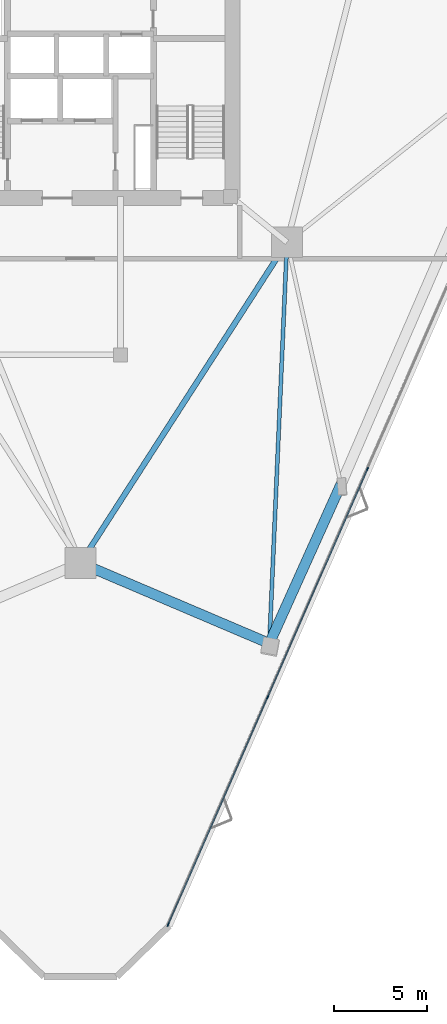
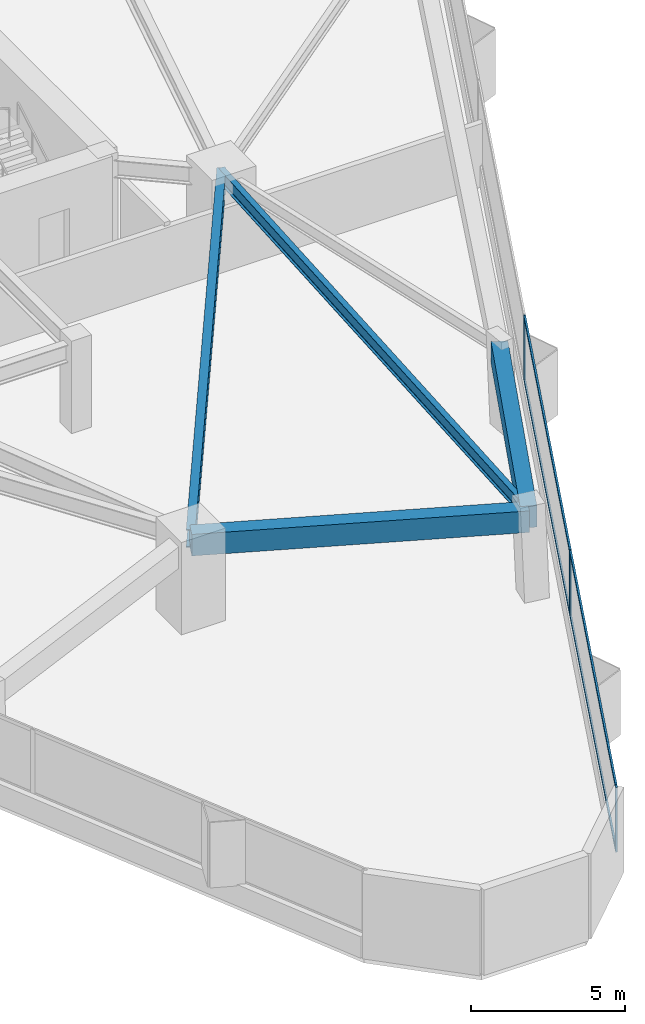
# One storey, part 4 of 20: 7 members, 4 beams, 1 element without a shape of its own.
"""IFC4 building model written with IfcOpenShell, lengths in metres."""

from ifc_helpers import new_model, si_unit, direction, frame, origin, origin_2d, place, context, subcontext, project, spatial, rectangle, i_section, extrude, material, layer, layer_set, material_profile, profile_set, type_object, element, aggregate, save


model = new_model("IFC4")

# Units and contexts
model_context = context("Model", 3, precision=1e-05, world=origin(), true_north=direction((0.0, 1.0)))
body_context = subcontext(model_context, "Body", "Model", "MODEL_VIEW")
ifc_project = project(units=[si_unit("LENGTHUNIT", "METRE"), si_unit("AREAUNIT", "SQUARE_METRE"), si_unit("VOLUMEUNIT", "CUBIC_METRE"), si_unit("PLANEANGLEUNIT", "RADIAN"), si_unit("MASSUNIT", "GRAM", prefix="KILO")], contexts=[model_context])

# Site, building, storey
site_placement = place(None, origin())
site = spatial("IfcSite", under=ifc_project, at=site_placement, CompositionType="ELEMENT")
building_placement = place(site_placement, origin())
building = spatial("IfcBuilding", under=site, at=building_placement, Name="Talyreon Biosciences Tower", CompositionType="ELEMENT")
storey_placement = place(building_placement, frame((0.0, 0.0, 78.64990234375)))
storey = spatial("IfcBuildingStorey", under=building, at=storey_placement, Name="L20", CompositionType="ELEMENT", Elevation=78.64990234375)

# Curtain wall, members
ifc_material_1 = material(Name="Thermally broken aluminium and low-E glazing", Category="aluminium")
ifc_layer = layer(ifc_material_1, 0.18994140625)
ifc_layer_set = layer_set([ifc_layer], Name="Thermally broken aluminium and low-E glazing")
curtain_wall_type = type_object("IfcCurtainWallType", Name="CurtainWall_Zone2Genomics", PredefinedType="NOTDEFINED", material=ifc_layer_set)
curtain_wall_placement = place(storey_placement, origin())
curtain_wall = element("IfcCurtainWall", 1, at=curtain_wall_placement, inside=storey, type_object=curtain_wall_type, Name="L20 Unitised Curtain Wall FCW-L20-08", PredefinedType="NOTDEFINED")
ifc_material_2 = material(Name="Anodised thermally broken aluminium", Category="aluminium")
ifc_material_profile_1 = material_profile(ifc_material_2, rectangle(XDim=0.06494140625, YDim=0.179931640625, at=origin_2d()), Name="ALUM MULLION 65x180")
ifc_profile_set_1 = profile_set([ifc_material_profile_1], Name="Anodised thermally broken aluminium")
member_type_1 = type_object("IfcMemberType", Name="CWMullion_65x180", PredefinedType="MULLION", material=ifc_profile_set_1)
member_1_placement = place(storey_placement, frame((81.40478515625, 46.721435546875, 0.81005859375), z_axis=(0.0, 0.0, 1.0), x_axis=(0.916213942072, -0.400689421314, 0.0)))
member_1 = element("IfcMember", 2, at=member_1_placement, type_object=member_type_1, Name="CW3 mullion 4", PredefinedType="MULLION", context=body_context, shape_type="SweptSolid", body=[
    extrude(rectangle(XDim=0.06494140625, YDim=0.179931640625, at=origin_2d()), origin(), (0.0, 0.0, 1.0), 2.56494140625),
])
member_2_placement = place(storey_placement, frame((76.0478515625, 34.472412109375, 0.81005859375), z_axis=(0.0, 0.0, 1.0), x_axis=(0.916213942072, -0.400689421314, 0.0)))
member_2 = element("IfcMember", 3, at=member_2_placement, type_object=member_type_1, Name="CW3 mullion 5", PredefinedType="MULLION", context=body_context, shape_type="SweptSolid", body=[
    extrude(rectangle(XDim=0.06494140625, YDim=0.179931640625, at=origin_2d()), origin(), (0.0, 0.0, 1.0), 2.56494140625),
])
member_3_placement = place(storey_placement, frame((70.7041015625, 22.253173828125, 0.81005859375), z_axis=(0.0, 0.0, 1.0), x_axis=(0.916213942072, -0.400689421314, 0.0)))
member_3 = element("IfcMember", 4, at=member_3_placement, type_object=member_type_1, Name="CW3 mullion 6", PredefinedType="MULLION", context=body_context, shape_type="SweptSolid", body=[
    extrude(rectangle(XDim=0.06494140625, YDim=0.179931640625, at=origin_2d()), origin(), (0.0, 0.0, 1.0), 2.56494140625),
])
ifc_material_profile_2 = material_profile(ifc_material_2, rectangle(XDim=0.06494140625, YDim=0.139892578125, at=origin_2d()), Name="ALUM TRANSOM 65x140")
ifc_profile_set_2 = profile_set([ifc_material_profile_2], Name="Anodised thermally broken aluminium")
member_type_2 = type_object("IfcMemberType", Name="CWTransom_65x140", PredefinedType="USERDEFINED", material=ifc_profile_set_2)
member_4_placement = place(storey_placement, frame((81.391845703125, 46.691650390625, 0.842529296875), z_axis=(-0.40068790809, -0.916214603852, 0.0), x_axis=(0.916214603852, -0.40068790809, 0.0)))
member_4 = element("IfcMember", 5, at=member_4_placement, type_object=member_type_2, Name="CW3 transom 4.1", ObjectType="TRANSOM", PredefinedType="USERDEFINED", context=body_context, shape_type="SweptSolid", body=[
    extrude(rectangle(XDim=0.06494140625, YDim=0.139892578125, at=origin_2d()), origin(), (0.0, 0.0, 1.0), 13.30419921875),
])
member_5_placement = place(storey_placement, frame((81.391845703125, 46.691650390625, 3.342529296875), z_axis=(-0.40068790809, -0.916214603852, 0.0), x_axis=(0.916214603852, -0.40068790809, 0.0)))
member_5 = element("IfcMember", 6, at=member_5_placement, type_object=member_type_2, Name="CW3 transom 4.2", ObjectType="TRANSOM", PredefinedType="USERDEFINED", context=body_context, shape_type="SweptSolid", body=[
    extrude(rectangle(XDim=0.06494140625, YDim=0.139892578125, at=origin_2d()), origin(), (0.0, 0.0, 1.0), 13.30419921875),
])
member_6_placement = place(storey_placement, frame((76.034912109375, 34.442626953125, 0.842529296875), z_axis=(-0.40069337817, -0.916212211603, 0.0), x_axis=(0.916212211603, -0.40069337817, 0.0)))
member_6 = element("IfcMember", 7, at=member_6_placement, type_object=member_type_2, Name="CW3 transom 5.1", ObjectType="TRANSOM", PredefinedType="USERDEFINED", context=body_context, shape_type="SweptSolid", body=[
    extrude(rectangle(XDim=0.06494140625, YDim=0.139892578125, at=origin_2d()), origin(), (0.0, 0.0, 1.0), 13.271728515625),
])
member_7_placement = place(storey_placement, frame((76.034912109375, 34.442626953125, 3.342529296875), z_axis=(-0.40069337817, -0.916212211603, 0.0), x_axis=(0.916212211603, -0.40069337817, 0.0)))
member_7 = element("IfcMember", 8, at=member_7_placement, type_object=member_type_2, Name="CW3 transom 5.2", ObjectType="TRANSOM", PredefinedType="USERDEFINED", context=body_context, shape_type="SweptSolid", body=[
    extrude(rectangle(XDim=0.06494140625, YDim=0.139892578125, at=origin_2d()), origin(), (0.0, 0.0, 1.0), 13.271728515625),
])
aggregate(curtain_wall, [member_1, member_2, member_3, member_4, member_5, member_6, member_7])

# Beams
ifc_material_3 = material(Name="Precast concrete C45/55", Category="concrete")
ifc_material_profile_3 = material_profile(ifc_material_3, rectangle(XDim=0.550048828125, YDim=0.85009765625, at=origin_2d()), Name="RCB 550x850")
ifc_profile_set_3 = profile_set([ifc_material_profile_3], Name="Precast concrete C45/55")
beam_type_1 = type_object("IfcBeamType", Name="ExpressedSpandrel_550x850", PredefinedType="SPANDREL", material=ifc_profile_set_3)
beam_1_placement = place(storey_placement, frame((66.0, 41.6669921875, 2.9501953125), z_axis=(0.920098069495, -0.391688067871, 0.0), x_axis=(0.391688067871, 0.920098069495, 0.0)))
element("IfcBeam", 9, at=beam_1_placement, inside=storey, type_object=beam_type_1, Name="L20 Expressed Horizontal Concrete Spandrel 01", PredefinedType="SPANDREL", context=body_context, shape_type="SweptSolid", body=[
    extrude(rectangle(XDim=0.550048828125, YDim=0.85009765625, at=origin_2d()), origin(), (0.0, 0.0, 1.0), 11.019287109375),
])
beam_2_placement = place(storey_placement, frame((76.138916015625, 37.350830078125, 2.9501953125), z_axis=(0.410468803141, 0.911874641411, 0.0), x_axis=(-0.911874641411, 0.410468803141, 0.0)))
element("IfcBeam", 10, at=beam_2_placement, inside=storey, type_object=beam_type_1, Name="L20 Expressed Horizontal Concrete Spandrel 02", PredefinedType="SPANDREL", context=body_context, shape_type="SweptSolid", body=[
    extrude(rectangle(XDim=0.550048828125, YDim=0.85009765625, at=origin_2d()), origin(), (0.0, 0.0, 1.0), 9.35888671875),
])
ifc_material_4 = material(Name="Steel SM355", Category="steel")
ifc_material_profile_4 = material_profile(ifc_material_4, i_section(OverallWidth=0.300048828125, OverallDepth=0.699951171875, WebThickness=0.01708984375, FlangeThickness=0.031982421875, FilletRadius=0.027099609375, at=origin_2d()), Name="HE700B")
ifc_profile_set_4 = profile_set([ifc_material_profile_4], Name="Steel SM355")
beam_type_2 = type_object("IfcBeamType", Name="SteelGirder_HE700B", PredefinedType="BEAM", material=ifc_profile_set_4)
beam_3_placement = place(storey_placement, frame((66.0, 41.6669921875, 3.025146484375), z_axis=(0.541463723609, 0.840724114092, 0.0), x_axis=(-0.840724114092, 0.541463723609, 0.0)))
element("IfcBeam", 11, at=beam_3_placement, inside=storey, type_object=beam_type_2, Name="L20 Mega-Ring Girder 1", PredefinedType="BEAM", context=body_context, shape_type="SweptSolid", body=[
    extrude(i_section(OverallWidth=0.300048828125, OverallDepth=0.699951171875, WebThickness=0.01708984375, FlangeThickness=0.031982421875, FilletRadius=0.027099609375, at=origin_2d()), origin(), (0.0, 0.0, 1.0), 20.474365234375),
])
ifc_material_profile_5 = material_profile(ifc_material_4, i_section(OverallWidth=0.2099609375, OverallDepth=0.550048828125, WebThickness=0.010986328125, FlangeThickness=0.01708984375, FilletRadius=0.02392578125, at=origin_2d()), Name="IPE550")
ifc_profile_set_5 = profile_set([ifc_material_profile_5], Name="Steel SM355")
beam_type_3 = type_object("IfcBeamType", Name="SteelJoist_IPE550", PredefinedType="JOIST", material=ifc_profile_set_5)
beam_4_placement = place(storey_placement, frame((77.086181640625, 58.88037109375, 3.10009765625), z_axis=(-0.043955886771, -0.999033472922, 0.0), x_axis=(0.999033472922, -0.043955886771, 0.0)))
element("IfcBeam", 12, at=beam_4_placement, inside=storey, type_object=beam_type_3, Name="L20 Radial Composite Floor Joist PC-SE1", PredefinedType="JOIST", context=body_context, shape_type="SweptSolid", body=[
    extrude(i_section(OverallWidth=0.2099609375, OverallDepth=0.550048828125, WebThickness=0.010986328125, FlangeThickness=0.01708984375, FilletRadius=0.02392578125, at=origin_2d()), origin(), (0.0, 0.0, 1.0), 21.55029296875),
])

save(model, "model.ifc")
